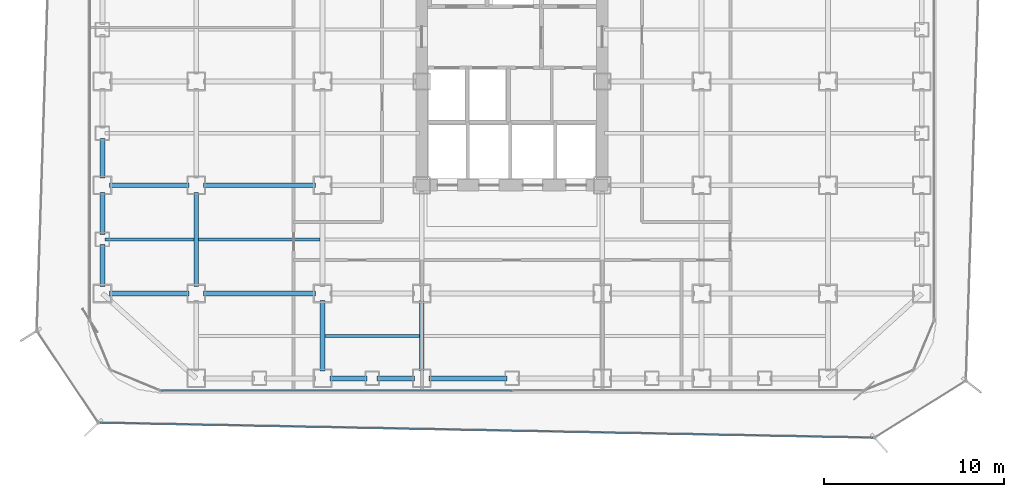
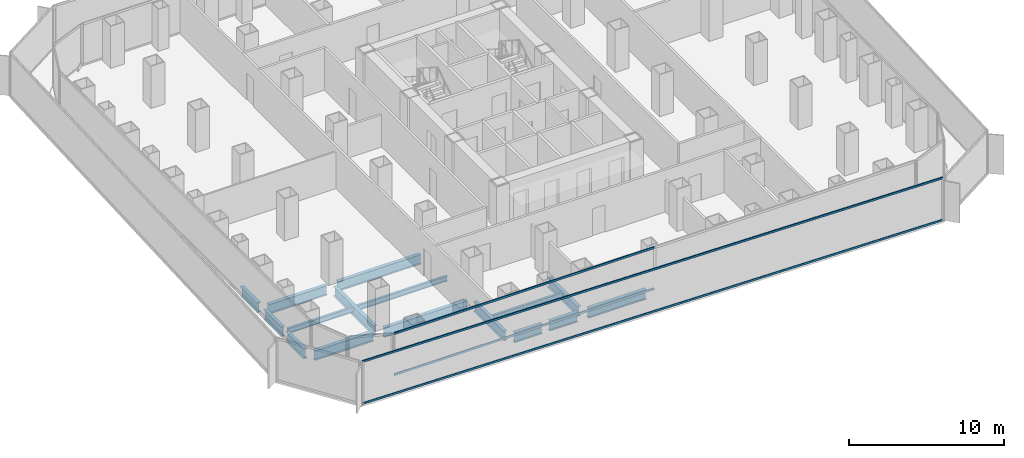
# One storey, part 3 of 21: 16 beams, 4 members, 2 elements without a shape of their own.
"""IFC4 building model written with IfcOpenShell, lengths in metres."""

import ifcopenshell
import ifcopenshell.guid

model = None  # the IFC model being written
_history = None  # IfcOwnerHistory: only IFC2X3 demands one
_inside = {}  # id of a spatial element -> (the spatial element, [elements in it])
_under = {}  # id of a project, library or spatial element -> (it, [spatial elements below it])
_declared = {}  # id of a project -> (the project, [libraries it declares])
_typed = {}  # id of a type object -> (the type object, [elements of that type])
_made_of = {}  # id of a material, layer set ... -> (it, [elements and type objects made of it])


def new_model(schema):
    """Start an empty IFC model of exactly this schema.

    Asked for "IFC4X3", IfcOpenShell would pick the latest addendum, in which some entities
    have other attributes; the version numbers below select the first issue.
    IFC2X3 requires an IfcOwnerHistory on every rooted entity: one is made here for all.
    """
    global model, _history
    if schema == "IFC4X3":
        model = ifcopenshell.file(schema_version=(4, 3, 0, 0))
    else:
        model = ifcopenshell.file(schema=schema)
    _inside.clear()
    _under.clear()
    _declared.clear()
    _typed.clear()
    _made_of.clear()
    _history = None
    if model.schema == "IFC2X3":
        org = make("IfcOrganization", Name="unknown")
        user = make(
            "IfcPersonAndOrganization",
            ThePerson=make("IfcPerson", FamilyName="unknown"),
            TheOrganization=org,
        )
        app = make(
            "IfcApplication",
            ApplicationDeveloper=org,
            Version="unknown",
            ApplicationFullName="unknown",
            ApplicationIdentifier="unknown",
        )
        _history = make(
            "IfcOwnerHistory",
            OwningUser=user,
            OwningApplication=app,
            ChangeAction="ADDED",
            CreationDate=0,
        )
    return model


def make(cls, **values):
    """One entity of the class cls with the attributes given. An attribute that is None is left unset."""
    return model.create_entity(
        cls, **{name: value for name, value in values.items() if value is not None}
    )


def rooted(cls, **values):
    """An entity with a GlobalId (a new one), such as an element, a storey or a relation."""
    return make(cls, GlobalId=ifcopenshell.guid.new(), OwnerHistory=_history, **values)


def si_unit(unit_type, name, prefix=None):
    """IfcSIUnit, for example si_unit("LENGTHUNIT", "METRE", prefix="MILLI")."""
    return make("IfcSIUnit", UnitType=unit_type, Prefix=prefix, Name=name)


def assignment(units):
    """IfcUnitAssignment: the units of a project."""
    return None if units is None else make("IfcUnitAssignment", Units=units)


def point(xyz):
    """IfcCartesianPoint."""
    return None if xyz is None else make("IfcCartesianPoint", Coordinates=xyz)


def direction(xyz):
    """IfcDirection."""
    return None if xyz is None else make("IfcDirection", DirectionRatios=xyz)


def frame(location, z_axis=None, x_axis=None):
    """IfcAxis2Placement3D, a coordinate frame: its origin and axes. An axis left out is left unset."""
    return make(
        "IfcAxis2Placement3D",
        Location=point(location),
        Axis=direction(z_axis),
        RefDirection=direction(x_axis),
    )


def frame_2d(location, x_axis=None):
    """IfcAxis2Placement2D, a coordinate frame in the plane: its origin and x axis."""
    return make(
        "IfcAxis2Placement2D", Location=point(location), RefDirection=direction(x_axis)
    )


def origin():
    """The frame at (0, 0, 0) with its axes left unset."""
    return frame((0.0, 0.0, 0.0))


def origin_2d():
    """The frame at (0, 0) in the plane with its x axis left unset."""
    return frame_2d((0.0, 0.0))


def place(relative_to, where):
    """IfcLocalPlacement: puts the frame where relative to a parent placement (None: the world)."""
    return make(
        "IfcLocalPlacement", PlacementRelTo=relative_to, RelativePlacement=where
    )


def context(
    kind, dimensions, precision=None, world=None, true_north=None, identifier=None
):
    """IfcGeometricRepresentationContext, for example the 3D "Model" context."""
    return make(
        "IfcGeometricRepresentationContext",
        ContextIdentifier=identifier,
        ContextType=kind,
        CoordinateSpaceDimension=dimensions,
        Precision=precision,
        WorldCoordinateSystem=world,
        TrueNorth=true_north,
    )


def subcontext(parent, identifier, kind, view, scale=None):
    """IfcGeometricRepresentationSubContext, for example "Body" below "Model"."""
    return make(
        "IfcGeometricRepresentationSubContext",
        ContextIdentifier=identifier,
        ContextType=kind,
        ParentContext=parent,
        TargetScale=scale,
        TargetView=view,
    )


def project(units=None, contexts=None):
    """IfcProject with its units and contexts."""
    return rooted(
        "IfcProject",
        Name="project",
        RepresentationContexts=contexts,
        UnitsInContext=assignment(units),
    )


def spatial(cls, under=None, at=None, **own):
    """A site, building, storey or space (cls), placed at a placement, below another one or the project."""
    s = rooted(cls, ObjectPlacement=at, **own)
    if under is not None:
        _under.setdefault(under.id(), (under, []))[1].append(s)
    return s


def profile(cls, at=None, kind="AREA", **sizes):
    """A parametric profile (cls). Its sizes go by their IFC names, for example OverallWidth=200.0."""
    return make(cls, ProfileType=kind, Position=at, **sizes)


def hollow_rectangle(**sizes):
    """IfcRectangleHollowProfileDef."""
    return profile("IfcRectangleHollowProfileDef", **sizes)


def i_section(**sizes):
    """IfcIShapeProfileDef."""
    return profile("IfcIShapeProfileDef", **sizes)


def extrude(swept, where, along, depth):
    """IfcExtrudedAreaSolid: the profile swept, set in the frame where, extruded along a direction by depth."""
    return make(
        "IfcExtrudedAreaSolid",
        SweptArea=swept,
        Position=where,
        ExtrudedDirection=direction(along),
        Depth=depth,
    )


def shape(context_of_items, identifier, shape_type, items):
    """IfcShapeRepresentation: the items that make up one representation, for example the "Body"."""
    return make(
        "IfcShapeRepresentation",
        ContextOfItems=context_of_items,
        RepresentationIdentifier=identifier,
        RepresentationType=shape_type,
        Items=items,
    )


def source(mapping_origin, context_of_items, identifier, shape_type, items):
    """IfcRepresentationMap: a shape defined once, which mapped items show again and again."""
    return make(
        "IfcRepresentationMap",
        MappingOrigin=mapping_origin,
        MappedRepresentation=shape(context_of_items, identifier, shape_type, items),
    )


def transform(
    local_origin,
    x_axis=None,
    y_axis=None,
    z_axis=None,
    scale=None,
    scale2=None,
    scale3=None,
    uniform=True,
):
    """IfcCartesianTransformationOperator3D, or its non-uniform kind. x_axis, y_axis, z_axis: its Axis1, 2, 3."""
    if uniform:
        return make(
            "IfcCartesianTransformationOperator3D",
            Axis1=direction(x_axis),
            Axis2=direction(y_axis),
            LocalOrigin=point(local_origin),
            Scale=scale,
            Axis3=direction(z_axis),
        )
    return make(
        "IfcCartesianTransformationOperator3DnonUniform",
        Axis1=direction(x_axis),
        Axis2=direction(y_axis),
        LocalOrigin=point(local_origin),
        Scale=scale,
        Axis3=direction(z_axis),
        Scale2=scale2,
        Scale3=scale3,
    )


def mapped(mapping_source, mapping_target):
    """IfcMappedItem: shows the shape of a source again, moved by a transform."""
    return make(
        "IfcMappedItem", MappingSource=mapping_source, MappingTarget=mapping_target
    )


def material(Name=None, Category=None):
    """IfcMaterial."""
    return make("IfcMaterial", Name=Name, Category=Category)


def layer(
    of_material, thickness, ventilated=None, Name=None, Category=None, Priority=None
):
    """IfcMaterialLayer: one layer of a wall or slab, of a material (None: an air gap)."""
    return make(
        "IfcMaterialLayer",
        Material=of_material,
        LayerThickness=thickness,
        IsVentilated=ventilated,
        Name=Name,
        Category=Category,
        Priority=Priority,
    )


def layer_set(layers, Name=None):
    """IfcMaterialLayerSet."""
    return make("IfcMaterialLayerSet", MaterialLayers=layers, LayerSetName=Name)


def material_profile(
    of_material, cross_section, Name=None, Category=None, Priority=None
):
    """IfcMaterialProfile: a cross section and its material."""
    return make(
        "IfcMaterialProfile",
        Name=Name,
        Material=of_material,
        Profile=cross_section,
        Priority=Priority,
        Category=Category,
    )


def profile_set(profiles, Name=None, composite=None):
    """IfcMaterialProfileSet."""
    return make(
        "IfcMaterialProfileSet",
        Name=Name,
        MaterialProfiles=profiles,
        CompositeProfile=composite,
    )


def made_of(thing, what):
    """Note that an element or type object is made of a material, layer set ...; save() writes the relation."""
    if what is not None:
        _made_of.setdefault(what.id(), (what, []))[1].append(thing)
    return thing


def type_object(cls, material=None, **own):
    """A type object (cls), such as IfcWallType, which elements share."""
    return made_of(rooted(cls, **own), material)


def element(
    cls,
    number,
    at=None,
    inside=None,
    cuts=None,
    type_object=None,
    material=None,
    context=None,
    identifier="Body",
    shape_type=None,
    held_by="IfcProductDefinitionShape",
    body=None,
    shapes=None,
    **own,
):
    """One element of the class cls, such as IfcWall. Its Tag is "e" and its number.

    at: its placement. inside: the storey or other place that contains it. cuts: it is an
    opening in that element (IfcRelVoidsElement). A single representation is given by context,
    identifier, shape_type and body (its items); several are given by shapes. held_by: the class
    of the entity that holds the representations. save() writes the other relations.
    """
    e = rooted(cls, Tag="e%d" % number, ObjectPlacement=at, **own)
    if body is not None:
        shapes = [shape(context, identifier, shape_type, body)]
    if shapes is not None:
        e.Representation = make(held_by, Representations=shapes)
    if inside is not None:
        _inside.setdefault(inside.id(), (inside, []))[1].append(e)
    if cuts is not None:
        rooted(
            "IfcRelVoidsElement", RelatingBuildingElement=cuts, RelatedOpeningElement=e
        )
    if type_object is not None:
        _typed.setdefault(type_object.id(), (type_object, []))[1].append(e)
    return made_of(e, material)


def aggregate(whole, parts):
    """IfcRelAggregates: a whole, such as a stair, and the parts it consists of."""
    return rooted("IfcRelAggregates", RelatingObject=whole, RelatedObjects=parts)


def save(model, path):
    """Write the relations noted so far, then the file.

    IfcRelAggregates (storeys below a building ...), IfcRelContainedInSpatialStructure (elements
    in a storey), IfcRelDefinesByType, IfcRelAssociatesMaterial and IfcRelDeclares: one each for
    every whole, place, type object, material and project.
    """
    for whole, parts in _under.values():
        aggregate(whole, parts)
    for where, things in _inside.values():
        rooted(
            "IfcRelContainedInSpatialStructure",
            RelatedElements=things,
            RelatingStructure=where,
        )
    for kind, things in _typed.values():
        rooted("IfcRelDefinesByType", RelatedObjects=things, RelatingType=kind)
    for what, things in _made_of.values():
        rooted("IfcRelAssociatesMaterial", RelatedObjects=things, RelatingMaterial=what)
    for by, libraries in _declared.values():
        rooted("IfcRelDeclares", RelatingContext=by, RelatedDefinitions=libraries)
    model.write(path)


model = new_model("IFC4")

# Units and contexts
model_context = context("Model", 3, precision=1e-05, world=origin(), true_north=direction((0.0, 1.0)))
body_context = subcontext(model_context, "Body", "Model", "MODEL_VIEW")
ifc_project = project(units=[si_unit("LENGTHUNIT", "METRE"), si_unit("AREAUNIT", "SQUARE_METRE"), si_unit("VOLUMEUNIT", "CUBIC_METRE"), si_unit("PLANEANGLEUNIT", "RADIAN"), si_unit("MASSUNIT", "GRAM", prefix="KILO")], contexts=[model_context])

# Site, building, storey
site_placement = place(None, origin())
site = spatial("IfcSite", under=ifc_project, at=site_placement, CompositionType="ELEMENT")
building_placement = place(site_placement, origin())
building = spatial("IfcBuilding", under=site, at=building_placement, Name="Kolveth Station Tower", CompositionType="ELEMENT")
storey_placement = place(building_placement, frame((0.0, 0.0, 33.300048828125)))
storey = spatial("IfcBuildingStorey", under=building, at=storey_placement, Name="L08", CompositionType="ELEMENT", Elevation=33.300048828125)

# Beams
ifc_material_1 = material(Name="Steel S355", Category="steel")
ifc_material_profile_1 = material_profile(ifc_material_1, i_section(OverallWidth=0.26904296875, OverallDepth=0.77490234375, WebThickness=0.01708984375, FlangeThickness=0.0283203125, at=origin_2d()), Name="W760x220")
ifc_profile_set_1 = profile_set([ifc_material_profile_1], Name="Steel S355")
beam_type_1 = type_object("IfcBeamType", Name="Beam_SP1", PredefinedType="SPANDREL", material=ifc_profile_set_1)
shared_shape_1 = source(origin(), body_context, "Body", "SweptSolid", [
    extrude(i_section(OverallWidth=0.26904296875, OverallDepth=0.77490234375, WebThickness=0.01708984375, FlangeThickness=0.0283203125, at=origin_2d()), origin(), (0.0, 0.0, 1.0), 2.070068359375),
])
for number, where, z_axis, x_axis, name in (
    (1, (13.39990234375, 0.800048828125, -0.66748046875), (1.0, 0.0, 0.0), (0.0, 1.0, 0.0), "L08 Perimeter Spandrel BM-L08-PS-3"),
    (2, (16.030029296875, 0.800048828125, -0.66748046875), (1.0, 0.0, 0.0), (0.0, 1.0, 0.0), "L08 Perimeter Spandrel BM-L08-PS-4"),
):
    element("IfcBeam", number, at=place(storey_placement, frame(where, z_axis=z_axis, x_axis=x_axis)), inside=storey, type_object=beam_type_1, Name=name, PredefinedType="SPANDREL", context=body_context, shape_type="MappedRepresentation", body=[
        mapped(shared_shape_1, transform((0.0, 0.0, 0.0), x_axis=(1.0, 0.0, 0.0), y_axis=(0.0, 1.0, 0.0), z_axis=(0.0, 0.0, 1.0), scale=1.0)),
    ])
shared_shape_2 = source(origin(), body_context, "Body", "SweptSolid", [
    extrude(i_section(OverallWidth=0.26904296875, OverallDepth=0.77490234375, WebThickness=0.01708984375, FlangeThickness=0.0283203125, at=origin_2d()), origin(), (0.0, 0.0, 1.0), 4.320068359375),
])
beam_1_placement = place(storey_placement, frame((18.89990234375, 0.800048828125, -0.66748046875), z_axis=(1.0, 0.0, 0.0), x_axis=(0.0, 1.0, 0.0)))
element("IfcBeam", 3, at=beam_1_placement, inside=storey, type_object=beam_type_1, Name="L08 Perimeter Spandrel BM-L08-PS-5", PredefinedType="SPANDREL", context=body_context, shape_type="MappedRepresentation", body=[
    mapped(shared_shape_2, transform((0.0, 0.0, 0.0), x_axis=(1.0, 0.0, 0.0), y_axis=(0.0, 1.0, 0.0), z_axis=(0.0, 0.0, 1.0), scale=1.0)),
])
shared_shape_3 = source(origin(), body_context, "Body", "SweptSolid", [
    extrude(i_section(OverallWidth=0.26904296875, OverallDepth=0.77490234375, WebThickness=0.01708984375, FlangeThickness=0.0283203125, at=origin_2d()), origin(), (0.0, 0.0, 1.0), 2.320068359375),
])
for number, where, z_axis, x_axis, name in (
    (4, (0.800048828125, 5.89990234375, -0.66748046875), (0.0, 1.0, 0.0), (-1.0, 0.0, 0.0), "L08 Perimeter Spandrel BM-L08-PW-1"),
    (5, (0.800048828125, 8.780029296875, -0.66748046875), (0.0, 1.0, 0.0), (-1.0, 0.0, 0.0), "L08 Perimeter Spandrel BM-L08-PW-2"),
):
    element("IfcBeam", number, at=place(storey_placement, frame(where, z_axis=z_axis, x_axis=x_axis)), inside=storey, type_object=beam_type_1, Name=name, PredefinedType="SPANDREL", context=body_context, shape_type="MappedRepresentation", body=[
        mapped(shared_shape_3, transform((0.0, 0.0, 0.0), x_axis=(1.0, 0.0, 0.0), y_axis=(0.0, 1.0, 0.0), z_axis=(0.0, 0.0, 1.0), scale=1.0)),
    ])
shared_shape_4 = source(origin(), body_context, "Body", "SweptSolid", [
    extrude(i_section(OverallWidth=0.26904296875, OverallDepth=0.77490234375, WebThickness=0.01708984375, FlangeThickness=0.0283203125, at=origin_2d()), origin(), (0.0, 0.0, 1.0), 2.2001953125),
])
beam_2_placement = place(storey_placement, frame((0.800048828125, 11.89990234375, -0.66748046875), z_axis=(0.0, 1.0, 0.0), x_axis=(-1.0, 0.0, 0.0)))
element("IfcBeam", 6, at=beam_2_placement, inside=storey, type_object=beam_type_1, Name="L08 Perimeter Spandrel BM-L08-PW-3", PredefinedType="SPANDREL", context=body_context, shape_type="MappedRepresentation", body=[
    mapped(shared_shape_4, transform((0.0, 0.0, 0.0), x_axis=(1.0, 0.0, 0.0), y_axis=(0.0, 1.0, 0.0), z_axis=(0.0, 0.0, 1.0), scale=1.0)),
])
ifc_material_profile_2 = material_profile(ifc_material_1, i_section(OverallWidth=0.26708984375, OverallDepth=0.76611328125, WebThickness=0.014892578125, FlangeThickness=0.023681640625, at=origin_2d()), Name="W760x185")
ifc_profile_set_2 = profile_set([ifc_material_profile_2], Name="Steel S355")
beam_type_2 = type_object("IfcBeamType", Name="Beam_B3", PredefinedType="BEAM", material=ifc_profile_set_2)
shared_shape_5 = source(origin(), body_context, "Body", "SweptSolid", [
    extrude(i_section(OverallWidth=0.26708984375, OverallDepth=0.76611328125, WebThickness=0.014892578125, FlangeThickness=0.023681640625, at=origin_2d()), origin(), (0.0, 0.0, 1.0), 4.400146484375),
])
for number, where, z_axis, x_axis, name in (
    (7, (1.199951171875, 5.5, -0.6630859375), (1.0, 0.0, 0.0), (0.0, 1.0, 0.0), "L08 Primary Girder BM-L08-GY55-1"),
    (8, (1.199951171875, 11.5, -0.6630859375), (1.0, 0.0, 0.0), (0.0, 1.0, 0.0), "L08 Primary Girder BM-L08-GY115-1"),
):
    element("IfcBeam", number, at=place(storey_placement, frame(where, z_axis=z_axis, x_axis=x_axis)), inside=storey, type_object=beam_type_2, Name=name, PredefinedType="BEAM", context=body_context, shape_type="MappedRepresentation", body=[
        mapped(shared_shape_5, transform((0.0, 0.0, 0.0), x_axis=(1.0, 0.0, 0.0), y_axis=(0.0, 1.0, 0.0), z_axis=(0.0, 0.0, 1.0), scale=1.0)),
    ])
shared_shape_6 = source(origin(), body_context, "Body", "SweptSolid", [
    extrude(i_section(OverallWidth=0.26708984375, OverallDepth=0.76611328125, WebThickness=0.014892578125, FlangeThickness=0.023681640625, at=origin_2d()), origin(), (0.0, 0.0, 1.0), 6.2001953125),
])
for number, where, z_axis, x_axis, name in (
    (9, (6.39990234375, 5.5, -0.6630859375), (1.0, 0.0, 0.0), (0.0, 1.0, 0.0), "L08 Primary Girder BM-L08-GY55-2"),
    (10, (6.39990234375, 11.5, -0.6630859375), (1.0, 0.0, 0.0), (0.0, 1.0, 0.0), "L08 Primary Girder BM-L08-GY115-2"),
):
    element("IfcBeam", number, at=place(storey_placement, frame(where, z_axis=z_axis, x_axis=x_axis)), inside=storey, type_object=beam_type_2, Name=name, PredefinedType="BEAM", context=body_context, shape_type="MappedRepresentation", body=[
        mapped(shared_shape_6, transform((0.0, 0.0, 0.0), x_axis=(1.0, 0.0, 0.0), y_axis=(0.0, 1.0, 0.0), z_axis=(0.0, 0.0, 1.0), scale=1.0)),
    ])
shared_shape_7 = source(origin(), body_context, "Body", "SweptSolid", [
    extrude(i_section(OverallWidth=0.26708984375, OverallDepth=0.76611328125, WebThickness=0.014892578125, FlangeThickness=0.023681640625, at=origin_2d()), origin(), (0.0, 0.0, 1.0), 3.900146484375),
])
for number, where, z_axis, x_axis, name in (
    (11, (13.0, 1.199951171875, -0.6630859375), (0.0, 1.0, 0.0), (-1.0, 0.0, 0.0), "L08 Primary Girder BM-L08-GX130-1"),
    (12, (18.5, 1.199951171875, -0.6630859375), (0.0, 1.0, 0.0), (-1.0, 0.0, 0.0), "L08 Primary Girder BM-L08-GX185-1"),
):
    element("IfcBeam", number, at=place(storey_placement, frame(where, z_axis=z_axis, x_axis=x_axis)), inside=storey, type_object=beam_type_2, Name=name, PredefinedType="BEAM", context=body_context, shape_type="MappedRepresentation", body=[
        mapped(shared_shape_7, transform((0.0, 0.0, 0.0), x_axis=(1.0, 0.0, 0.0), y_axis=(0.0, 1.0, 0.0), z_axis=(0.0, 0.0, 1.0), scale=1.0)),
    ])
shared_shape_8 = source(origin(), body_context, "Body", "SweptSolid", [
    extrude(i_section(OverallWidth=0.26708984375, OverallDepth=0.76611328125, WebThickness=0.014892578125, FlangeThickness=0.023681640625, at=origin_2d()), origin(), (0.0, 0.0, 1.0), 5.2001953125),
])
beam_3_placement = place(storey_placement, frame((6.0, 5.89990234375, -0.6630859375), z_axis=(0.0, 1.0, 0.0), x_axis=(-1.0, 0.0, 0.0)))
element("IfcBeam", 13, at=beam_3_placement, inside=storey, type_object=beam_type_2, Name="L08 Primary Girder BM-L08-GX60-2", PredefinedType="BEAM", context=body_context, shape_type="MappedRepresentation", body=[
    mapped(shared_shape_8, transform((0.0, 0.0, 0.0), x_axis=(1.0, 0.0, 0.0), y_axis=(0.0, 1.0, 0.0), z_axis=(0.0, 0.0, 1.0), scale=1.0)),
])
ifc_material_profile_3 = material_profile(ifc_material_1, i_section(OverallWidth=0.177978515625, OverallDepth=0.406982421875, WebThickness=0.0078125, FlangeThickness=0.0126953125, at=origin_2d()), Name="W410x60")
ifc_profile_set_3 = profile_set([ifc_material_profile_3], Name="Steel S355")
beam_type_3 = type_object("IfcBeamType", Name="Beam_J1", PredefinedType="JOIST", material=ifc_profile_set_3)
shared_shape_9 = source(origin(), body_context, "Body", "SweptSolid", [
    extrude(i_section(OverallWidth=0.177978515625, OverallDepth=0.406982421875, WebThickness=0.0078125, FlangeThickness=0.0126953125, at=origin_2d()), origin(), (0.0, 0.0, 1.0), 4.935791015625),
])
beam_4_placement = place(storey_placement, frame((0.9326171875, 8.5, -0.483642578125), z_axis=(1.0, 0.0, 0.0), x_axis=(0.0, 1.0, 0.0)))
element("IfcBeam", 14, at=beam_4_placement, inside=storey, type_object=beam_type_3, Name="L08 Secondary Joist JST-L08-1-2", PredefinedType="JOIST", context=body_context, shape_type="MappedRepresentation", body=[
    mapped(shared_shape_9, transform((0.0, 0.0, 0.0), x_axis=(1.0, 0.0, 0.0), y_axis=(0.0, 1.0, 0.0), z_axis=(0.0, 0.0, 1.0), scale=1.0)),
])
shared_shape_10 = source(origin(), body_context, "Body", "SweptSolid", [
    extrude(i_section(OverallWidth=0.177978515625, OverallDepth=0.406982421875, WebThickness=0.0078125, FlangeThickness=0.0126953125, at=origin_2d()), origin(), (0.0, 0.0, 1.0), 6.73681640625),
])
beam_5_placement = place(storey_placement, frame((6.131591796875, 8.5, -0.483642578125), z_axis=(1.0, 0.0, 0.0), x_axis=(0.0, 1.0, 0.0)))
element("IfcBeam", 15, at=beam_5_placement, inside=storey, type_object=beam_type_3, Name="L08 Secondary Joist JST-L08-2-2", PredefinedType="JOIST", context=body_context, shape_type="MappedRepresentation", body=[
    mapped(shared_shape_10, transform((0.0, 0.0, 0.0), x_axis=(1.0, 0.0, 0.0), y_axis=(0.0, 1.0, 0.0), z_axis=(0.0, 0.0, 1.0), scale=1.0)),
])
shared_shape_11 = source(origin(), body_context, "Body", "SweptSolid", [
    extrude(i_section(OverallWidth=0.177978515625, OverallDepth=0.406982421875, WebThickness=0.0078125, FlangeThickness=0.0126953125, at=origin_2d()), origin(), (0.0, 0.0, 1.0), 5.23681640625),
])
beam_6_placement = place(storey_placement, frame((13.131591796875, 3.14990234375, -0.483642578125), z_axis=(1.0, 0.0, 0.0), x_axis=(0.0, 1.0, 0.0)))
element("IfcBeam", 16, at=beam_6_placement, inside=storey, type_object=beam_type_3, Name="L08 Secondary Joist JST-L08-3-1", PredefinedType="JOIST", context=body_context, shape_type="MappedRepresentation", body=[
    mapped(shared_shape_11, transform((0.0, 0.0, 0.0), x_axis=(1.0, 0.0, 0.0), y_axis=(0.0, 1.0, 0.0), z_axis=(0.0, 0.0, 1.0), scale=1.0)),
])

# Curtain wall, members
ifc_material_2 = material(Name="Aluminium 6063-T6 and low-E dark glass", Category="aluminium")
ifc_layer_1 = layer(ifc_material_2, 0.179931640625)
ifc_layer_set_1 = layer_set([ifc_layer_1], Name="Aluminium 6063-T6 and low-E dark glass")
curtain_wall_type_1 = type_object("IfcCurtainWallType", Name="CurtainWall_CW-Z1", PredefinedType="NOTDEFINED", material=ifc_layer_set_1)
curtain_wall_1_placement = place(storey_placement, origin())
curtain_wall_1 = element("IfcCurtainWall", 17, at=curtain_wall_1_placement, inside=storey, type_object=curtain_wall_type_1, Name="L08 Inner Thermal Curtain Wall 12", PredefinedType="NOTDEFINED")
ifc_material_3 = material(Name="Black anodized aluminium 6063-T6", Category="aluminium")
ifc_material_profile_4 = material_profile(ifc_material_3, hollow_rectangle(XDim=0.074951171875, YDim=0.159912109375, WallThickness=0.0048828125, at=origin_2d()), Name="ALU-75x160x5")
ifc_profile_set_4 = profile_set([ifc_material_profile_4], Name="Black anodized aluminium 6063-T6")
member_type_1 = type_object("IfcMemberType", Name="Transom_TR1", PredefinedType="USERDEFINED", material=ifc_profile_set_4)
shared_shape_12 = source(origin(), body_context, "Body", "SweptSolid", [
    extrude(hollow_rectangle(XDim=0.074951171875, YDim=0.159912109375, WallThickness=0.0048828125, at=origin_2d()), origin(), (0.0, 0.0, 1.0), 19.387451171875),
])
member_1_placement = place(storey_placement, frame((4.074951171875, 0.1201171875, 0.037353515625), z_axis=(1.0, 0.0, 0.0), x_axis=(0.0, 1.0, 0.0)))
member_1 = element("IfcMember", 18, at=member_1_placement, type_object=member_type_1, Name="CW-Z1 transom 1.1", ObjectType="TRANSOM", PredefinedType="USERDEFINED", context=body_context, shape_type="MappedRepresentation", body=[
    mapped(shared_shape_12, transform((0.0, 0.0, 0.0), x_axis=(1.0, 0.0, 0.0), y_axis=(0.0, 1.0, 0.0), z_axis=(0.0, 0.0, 1.0), scale=1.0)),
])
member_2_placement = place(storey_placement, frame((4.074951171875, 0.1201171875, 3.282470703125), z_axis=(1.0, 0.0, 0.0), x_axis=(0.0, 1.0, 0.0)))
member_2 = element("IfcMember", 19, at=member_2_placement, type_object=member_type_1, Name="CW-Z1 transom 1.2", ObjectType="TRANSOM", PredefinedType="USERDEFINED", context=body_context, shape_type="MappedRepresentation", body=[
    mapped(shared_shape_12, transform((0.0, 0.0, 0.0), x_axis=(1.0, 0.0, 0.0), y_axis=(0.0, 1.0, 0.0), z_axis=(0.0, 0.0, 1.0), scale=1.0)),
])
aggregate(curtain_wall_1, [member_1, member_2])

ifc_material_4 = material(Name="Black anodized aluminium 6063-T6 and dark solar glass", Category="aluminium")
ifc_layer_2 = layer(ifc_material_4, 0.159912109375)
ifc_layer_set_2 = layer_set([ifc_layer_2], Name="Black anodized aluminium 6063-T6 and dark solar glass")
curtain_wall_type_2 = type_object("IfcCurtainWallType", Name="OUTER SKIN CW-OS", PredefinedType="NOTDEFINED", material=ifc_layer_set_2)
curtain_wall_2_placement = place(storey_placement, origin())
curtain_wall_2 = element("IfcCurtainWall", 20, at=curtain_wall_2_placement, inside=storey, type_object=curtain_wall_type_2, Name="L08 Outer Ventilated Skin Curtain Wall 8", PredefinedType="NOTDEFINED")
ifc_material_profile_5 = material_profile(ifc_material_3, hollow_rectangle(XDim=0.080078125, YDim=0.14990234375, WallThickness=0.0048828125, at=origin_2d()), Name="ALU-80x150x5")
ifc_profile_set_5 = profile_set([ifc_material_profile_5], Name="Black anodized aluminium 6063-T6")
member_type_2 = type_object("IfcMemberType", Name="Transom_TR-OS", PredefinedType="USERDEFINED", material=ifc_profile_set_5)
shared_shape_13 = source(origin(), body_context, "Body", "SweptSolid", [
    extrude(hollow_rectangle(XDim=0.080078125, YDim=0.14990234375, WallThickness=0.0048828125, at=origin_2d()), origin(), (0.0, 0.0, 1.0), 42.8232421875),
])
member_3_placement = place(storey_placement, frame((0.676513671875, -1.66162109375, 0.0400390625), z_axis=(0.999812447288, -0.019366730437, 0.0), x_axis=(0.019366730437, 0.999812447288, 0.0)))
member_3 = element("IfcMember", 21, at=member_3_placement, type_object=member_type_2, Name="CW-OS transom 1.1", ObjectType="TRANSOM", PredefinedType="USERDEFINED", context=body_context, shape_type="MappedRepresentation", body=[
    mapped(shared_shape_13, transform((0.0, 0.0, 0.0), x_axis=(1.0, 0.0, 0.0), y_axis=(0.0, 1.0, 0.0), z_axis=(0.0, 0.0, 1.0), scale=1.0)),
])
member_4_placement = place(storey_placement, frame((0.676513671875, -1.66162109375, 3.349853515625), z_axis=(0.999812447288, -0.019366730437, 0.0), x_axis=(0.019366730437, 0.999812447288, 0.0)))
member_4 = element("IfcMember", 22, at=member_4_placement, type_object=member_type_2, Name="CW-OS transom 1.2", ObjectType="TRANSOM", PredefinedType="USERDEFINED", context=body_context, shape_type="MappedRepresentation", body=[
    mapped(shared_shape_13, transform((0.0, 0.0, 0.0), x_axis=(1.0, 0.0, 0.0), y_axis=(0.0, 1.0, 0.0), z_axis=(0.0, 0.0, 1.0), scale=1.0)),
])
aggregate(curtain_wall_2, [member_3, member_4])

save(model, "model.ifc")
